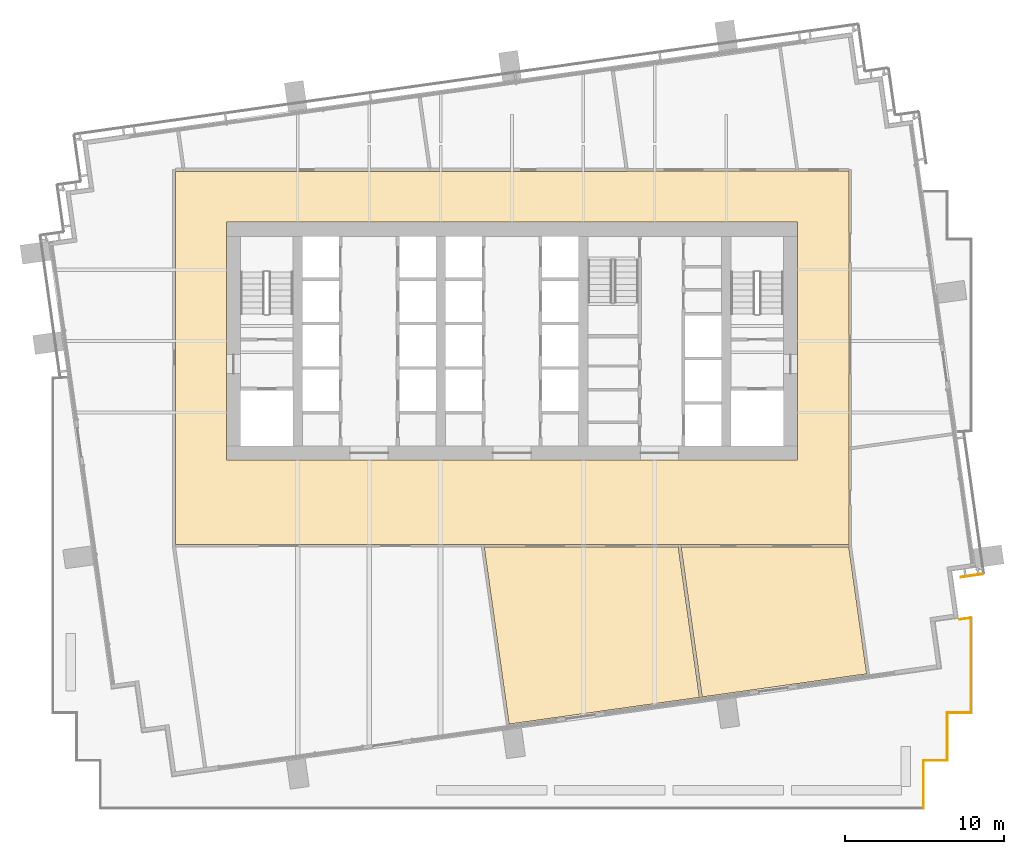
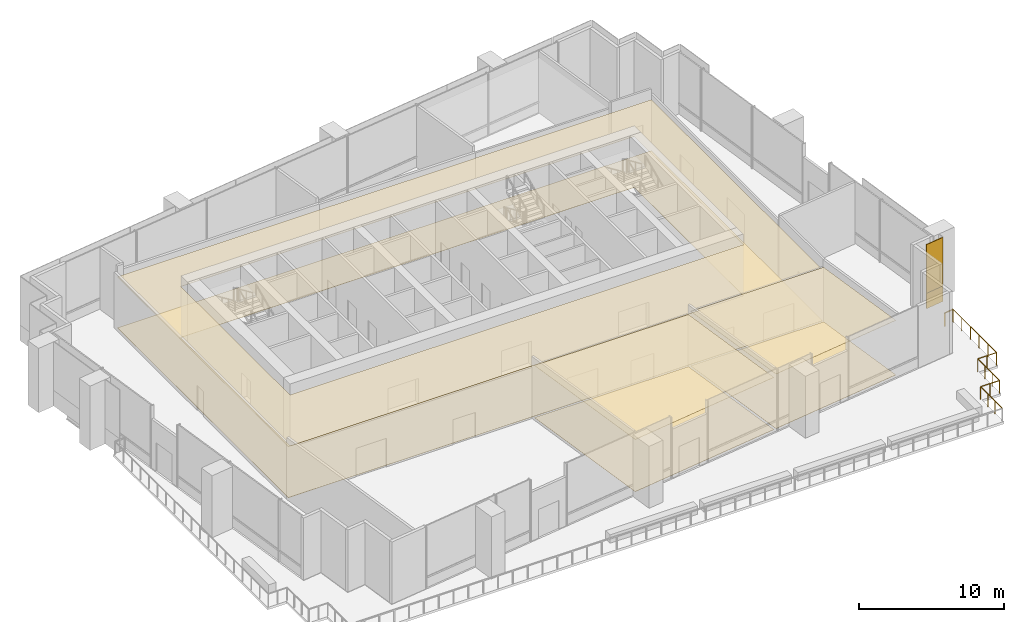
# One storey, part 14 of 17: 8 coverings, 6 railings.
"""IFC4 building model written with IfcOpenShell, lengths in metres."""

from ifc_helpers import new_model, si_unit, direction, frame, origin, origin_2d, place, context, subcontext, project, spatial, polyline, rectangle, outline, extrude, material, layer, layer_set, type_object, element, save


model = new_model("IFC4")

# Units and contexts
model_context = context("Model", 3, precision=1e-05, world=origin(), true_north=direction((0.0, 1.0)))
body_context = subcontext(model_context, "Body", "Model", "MODEL_VIEW")
ifc_project = project(units=[si_unit("LENGTHUNIT", "METRE"), si_unit("AREAUNIT", "SQUARE_METRE"), si_unit("VOLUMEUNIT", "CUBIC_METRE"), si_unit("PLANEANGLEUNIT", "RADIAN"), si_unit("MASSUNIT", "GRAM", prefix="KILO")], contexts=[model_context])

# Site, building, storey
site_placement = place(None, origin())
site = spatial("IfcSite", under=ifc_project, at=site_placement, CompositionType="ELEMENT")
building_placement = place(site_placement, origin())
building = spatial("IfcBuilding", under=site, at=building_placement, Name="Rattan Terrace Tower", CompositionType="ELEMENT")
storey_placement = place(building_placement, frame((0.0, 0.0, 163.10009765625)))
storey = spatial("IfcBuildingStorey", under=building, at=storey_placement, Name="L37", CompositionType="ELEMENT", Elevation=163.10009765625)

# Railings
ifc_material_1 = material(Name="Stainless steel 316", Category="steel")
railing_type = type_object("IfcRailingType", Name="Facade Guard 1100", PredefinedType="GUARDRAIL", material=ifc_material_1)
railing_1_placement = place(storey_placement, frame((28.18701171875, -17.5400390625, 0.0)))
element("IfcRailing", 1, at=railing_1_placement, inside=storey, type_object=railing_type, Name="Terrace guard L37-2-1", PredefinedType="GUARDRAIL", context=body_context, shape_type="SweptSolid", body=[
    extrude(rectangle(XDim=0.048095703125, YDim=0.048095703125, at=origin_2d()), frame((0.0, 0.0, 1.076171875), z_axis=(0.99026368507, 0.139204288841, 0.0), x_axis=(-0.139204288841, 0.99026368507, 0.0)), (0.0, 0.0, 1.0), 0.740234375),
    extrude(rectangle(XDim=0.0419921875, YDim=0.0419921875, at=origin_2d()), origin(), (0.0, 0.0, 1.0), 1.052001953125),
])
railing_2_placement = place(storey_placement, frame((28.919921875, -17.43701171875, 0.0)))
element("IfcRailing", 2, at=railing_2_placement, inside=storey, type_object=railing_type, Name="Terrace guard L37-2-2", PredefinedType="GUARDRAIL", context=body_context, shape_type="SweptSolid", body=[
    extrude(rectangle(XDim=0.048095703125, YDim=0.048095703125, at=origin_2d()), frame((0.0, 0.0, 1.076171875), z_axis=(0.0, -1.0, 0.0), x_axis=(1.0, 0.0, 0.0)), (0.0, 0.0, 1.0), 5.98291015625),
    extrude(rectangle(XDim=0.0419921875, YDim=0.0419921875, at=origin_2d()), origin(), (0.0, 0.0, 1.0), 1.052001953125),
    extrude(rectangle(XDim=0.0419921875, YDim=0.0419921875, at=origin_2d()), frame((0.0, -1.196533203125, 0.0)), (0.0, 0.0, 1.0), 1.052001953125),
    extrude(rectangle(XDim=0.0419921875, YDim=0.0419921875, at=origin_2d()), frame((0.0, -2.39306640625, 0.0)), (0.0, 0.0, 1.0), 1.052001953125),
    extrude(rectangle(XDim=0.0419921875, YDim=0.0419921875, at=origin_2d()), frame((0.0, -3.58984375, 0.0)), (0.0, 0.0, 1.0), 1.052001953125),
    extrude(rectangle(XDim=0.0419921875, YDim=0.0419921875, at=origin_2d()), frame((0.0, -4.786376953125, 0.0)), (0.0, 0.0, 1.0), 1.052001953125),
])
railing_3_placement = place(storey_placement, frame((28.919921875, -23.419921875, 0.0)))
element("IfcRailing", 3, at=railing_3_placement, inside=storey, type_object=railing_type, Name="Terrace guard L37-2-3", PredefinedType="GUARDRAIL", context=body_context, shape_type="SweptSolid", body=[
    extrude(rectangle(XDim=0.048095703125, YDim=0.048095703125, at=origin_2d()), frame((0.0, 0.0, 1.076171875), z_axis=(-1.0, 0.0, 0.0), x_axis=(0.0, -1.0, 0.0)), (0.0, 0.0, 1.0), 1.5),
    extrude(rectangle(XDim=0.0419921875, YDim=0.0419921875, at=origin_2d()), origin(), (0.0, 0.0, 1.0), 1.052001953125),
    extrude(rectangle(XDim=0.0419921875, YDim=0.0419921875, at=origin_2d()), frame((-0.75, 0.0, 0.0)), (0.0, 0.0, 1.0), 1.052001953125),
])
railing_4_placement = place(storey_placement, frame((27.419921875, -23.419921875, 0.0)))
element("IfcRailing", 4, at=railing_4_placement, inside=storey, type_object=railing_type, Name="Terrace guard L37-2-4", PredefinedType="GUARDRAIL", context=body_context, shape_type="SweptSolid", body=[
    extrude(rectangle(XDim=0.048095703125, YDim=0.048095703125, at=origin_2d()), frame((0.0, 0.0, 1.076171875), z_axis=(0.0, -1.0, 0.0), x_axis=(1.0, 0.0, 0.0)), (0.0, 0.0, 1.0), 3.0),
    extrude(rectangle(XDim=0.0419921875, YDim=0.0419921875, at=origin_2d()), origin(), (0.0, 0.0, 1.0), 1.052001953125),
    extrude(rectangle(XDim=0.0419921875, YDim=0.0419921875, at=origin_2d()), frame((0.0, -1.0, 0.0)), (0.0, 0.0, 1.0), 1.052001953125),
    extrude(rectangle(XDim=0.0419921875, YDim=0.0419921875, at=origin_2d()), frame((0.0, -2.0, 0.0)), (0.0, 0.0, 1.0), 1.052001953125),
])
railing_5_placement = place(storey_placement, frame((27.419921875, -26.419921875, 0.0)))
element("IfcRailing", 5, at=railing_5_placement, inside=storey, type_object=railing_type, Name="Terrace guard L37-2-5", PredefinedType="GUARDRAIL", context=body_context, shape_type="SweptSolid", body=[
    extrude(rectangle(XDim=0.048095703125, YDim=0.048095703125, at=origin_2d()), frame((0.0, 0.0, 1.076171875), z_axis=(-1.0, 0.0, 0.0), x_axis=(0.0, -1.0, 0.0)), (0.0, 0.0, 1.0), 1.5),
    extrude(rectangle(XDim=0.0419921875, YDim=0.0419921875, at=origin_2d()), origin(), (0.0, 0.0, 1.0), 1.052001953125),
    extrude(rectangle(XDim=0.0419921875, YDim=0.0419921875, at=origin_2d()), frame((-0.75, 0.0, 0.0)), (0.0, 0.0, 1.0), 1.052001953125),
])
railing_6_placement = place(storey_placement, frame((25.919921875, -26.419921875, 0.0)))
element("IfcRailing", 6, at=railing_6_placement, inside=storey, type_object=railing_type, Name="Terrace guard L37-2-6", PredefinedType="GUARDRAIL", context=body_context, shape_type="SweptSolid", body=[
    extrude(rectangle(XDim=0.048095703125, YDim=0.048095703125, at=origin_2d()), frame((0.0, 0.0, 1.076171875), z_axis=(0.0, -1.0, 0.0), x_axis=(1.0, 0.0, 0.0)), (0.0, 0.0, 1.0), 3.0),
    extrude(rectangle(XDim=0.0419921875, YDim=0.0419921875, at=origin_2d()), origin(), (0.0, 0.0, 1.0), 1.052001953125),
    extrude(rectangle(XDim=0.0419921875, YDim=0.0419921875, at=origin_2d()), frame((0.0, -1.0, 0.0)), (0.0, 0.0, 1.0), 1.052001953125),
    extrude(rectangle(XDim=0.0419921875, YDim=0.0419921875, at=origin_2d()), frame((0.0, -2.0, 0.0)), (0.0, 0.0, 1.0), 1.052001953125),
])

# Coverings
ifc_material_2 = material(Name="Solid terracotta", Category="masonry")
ifc_layer_1 = layer(ifc_material_2, 0.06005859375)
ifc_layer_set_1 = layer_set([ifc_layer_1], Name="Facade Terracotta Band Panel")
covering_type_1 = type_object("IfcCoveringType", Name="Facade Terracotta Band Panel", PredefinedType="CLADDING", material=ifc_layer_set_1)
covering_1_placement = place(storey_placement, frame((28.981201171875, -14.771484375, -0.18994140625), z_axis=(0.0, 0.0, 1.0), x_axis=(0.99025370695, 0.139275252184, 0.0)))
element("IfcCovering", 7, at=covering_1_placement, inside=storey, type_object=covering_type_1, Name="OUTER SKIN panel L37-1A", PredefinedType="CLADDING", context=body_context, shape_type="SweptSolid", body=[
    extrude(rectangle(XDim=1.420654296875, YDim=0.06005859375, at=origin_2d()), origin(), (0.0, 0.0, 1.0), 1.300048828125),
])
ifc_material_3 = material(Name="Perforated terracotta", Category="masonry")
ifc_layer_2 = layer(ifc_material_3, 0.06005859375)
ifc_layer_set_2 = layer_set([ifc_layer_2], Name="Facade Terracotta Screen Panel")
covering_type_2 = type_object("IfcCoveringType", Name="Facade Terracotta Screen Panel", PredefinedType="CLADDING", material=ifc_layer_set_2)
covering_2_placement = place(storey_placement, frame((28.981201171875, -14.771484375, 1.10986328125), z_axis=(0.0, 0.0, 1.0), x_axis=(0.99025370695, 0.139275252184, 0.0)))
element("IfcCovering", 8, at=covering_2_placement, inside=storey, type_object=covering_type_2, Name="OUTER SKIN panel L37-1B", PredefinedType="CLADDING", context=body_context, shape_type="SweptSolid", body=[
    extrude(rectangle(XDim=1.420654296875, YDim=0.06005859375, at=origin_2d()), origin(), (0.0, 0.0, 1.0), 4.080078125),
])
ifc_material_4 = material(Name="Polished limestone", Category="masonry")
ifc_layer_3 = layer(ifc_material_4, 0.02001953125)
ifc_layer_set_3 = layer_set([ifc_layer_3], Name="Lobby Floor Finish Stone 20")
covering_type_3 = type_object("IfcCoveringType", Name="Lobby Floor Finish Stone 20", PredefinedType="FLOORING", material=ifc_layer_set_3)
covering_3_placement = place(storey_placement, origin())
element("IfcCovering", 9, at=covering_3_placement, inside=storey, type_object=covering_type_3, Name="Floor finish L37-101", PredefinedType="FLOORING", context=body_context, shape_type="SweptSolid", body=[
    extrude(outline(polyline([(-21.199951171875, -12.824951171875), (21.22509765625, -12.824951171875), (21.22509765625, 10.72509765625), (7.24609375, 10.72509765625), (7.24609375, 10.699951171875), (-21.199951171875, 10.699951171875), (-21.199951171875, -12.824951171875)]), holes=[polyline([(-18.0, -7.5), (18.0, -7.5), (18.0, 7.5), (-18.0, 7.5), (-18.0, -7.5)])]), origin(), (0.0, 0.0, 1.0), 0.02001953125),
])
covering_4_placement = place(storey_placement, origin())
element("IfcCovering", 10, at=covering_4_placement, inside=storey, type_object=covering_type_3, Name="Floor finish L37-102", PredefinedType="FLOORING", context=body_context, shape_type="SweptSolid", body=[
    extrude(outline(polyline([(14.6708984375, -22.0439453125), (18.236083984375, -21.54296875), (22.343017578125, -20.966064453125), (21.218994140625, -12.97509765625), (10.656982421875, -12.97509765625), (11.98388671875, -22.4208984375), (14.6708984375, -22.0439453125)])), origin(), (0.0, 0.0, 1.0), 0.02001953125),
])
covering_5_placement = place(storey_placement, origin())
element("IfcCovering", 11, at=covering_5_placement, inside=storey, type_object=covering_type_3, Name="Floor finish L37-103", PredefinedType="FLOORING", context=body_context, shape_type="SweptSolid", body=[
    extrude(outline(polyline([(2.506103515625, -23.7529296875), (4.09912109375, -23.529052734375), (11.805908203125, -22.447021484375), (10.47412109375, -12.97509765625), (-1.7490234375, -12.97509765625), (-0.181884765625, -24.1298828125), (2.506103515625, -23.7529296875)])), origin(), (0.0, 0.0, 1.0), 0.02001953125),
])
ifc_material_5 = material(Name="Gypsum board, painted")
ifc_layer_4 = layer(ifc_material_5, 0.02490234375)
ifc_layer_set_4 = layer_set([ifc_layer_4], Name="Suspended Ceiling Gypsum 25")
covering_type_4 = type_object("IfcCoveringType", Name="Suspended Ceiling Gypsum 25", PredefinedType="CEILING", material=ifc_layer_set_4)
covering_6_placement = place(storey_placement, frame((0.0, 0.0, 4.27490234375)))
element("IfcCovering", 12, at=covering_6_placement, inside=storey, type_object=covering_type_4, Name="Ceiling L37-101", PredefinedType="CEILING", context=body_context, shape_type="SweptSolid", body=[
    extrude(outline(polyline([(-21.199951171875, -12.824951171875), (21.22509765625, -12.824951171875), (21.22509765625, 10.72509765625), (7.24609375, 10.72509765625), (7.24609375, 10.699951171875), (-21.199951171875, 10.699951171875), (-21.199951171875, -12.824951171875)]), holes=[polyline([(-18.0, -7.5), (18.0, -7.5), (18.0, 7.5), (-18.0, 7.5), (-18.0, -7.5)])]), origin(), (0.0, 0.0, 1.0), 0.02490234375),
])
covering_7_placement = place(storey_placement, frame((0.0, 0.0, 4.574951171875)))
element("IfcCovering", 13, at=covering_7_placement, inside=storey, type_object=covering_type_4, Name="Ceiling L37-102", PredefinedType="CEILING", context=body_context, shape_type="SweptSolid", body=[
    extrude(outline(polyline([(14.6708984375, -22.0439453125), (18.236083984375, -21.54296875), (22.343017578125, -20.966064453125), (21.218994140625, -12.97509765625), (10.656982421875, -12.97509765625), (11.98388671875, -22.4208984375), (14.6708984375, -22.0439453125)])), origin(), (0.0, 0.0, 1.0), 0.02490234375),
])
covering_8_placement = place(storey_placement, frame((0.0, 0.0, 4.375)))
element("IfcCovering", 14, at=covering_8_placement, inside=storey, type_object=covering_type_4, Name="Ceiling L37-103", PredefinedType="CEILING", context=body_context, shape_type="SweptSolid", body=[
    extrude(outline(polyline([(2.506103515625, -23.7529296875), (4.09912109375, -23.529052734375), (11.805908203125, -22.447021484375), (10.47412109375, -12.97509765625), (-1.7490234375, -12.97509765625), (-0.181884765625, -24.1298828125), (2.506103515625, -23.7529296875)])), origin(), (0.0, 0.0, 1.0), 0.02490234375),
])

save(model, "model.ifc")
